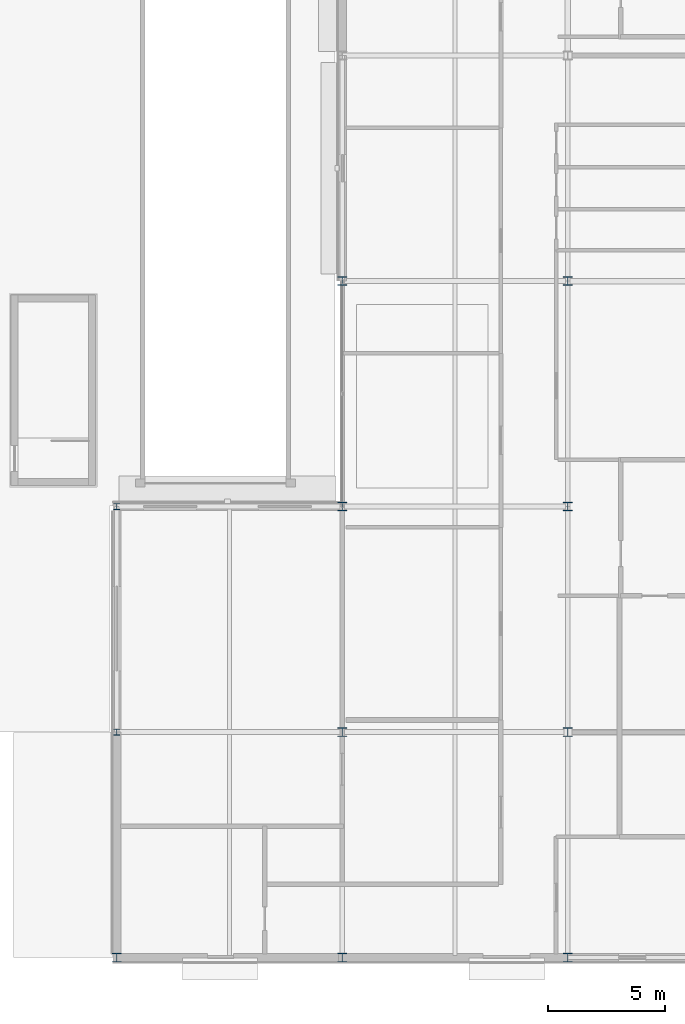
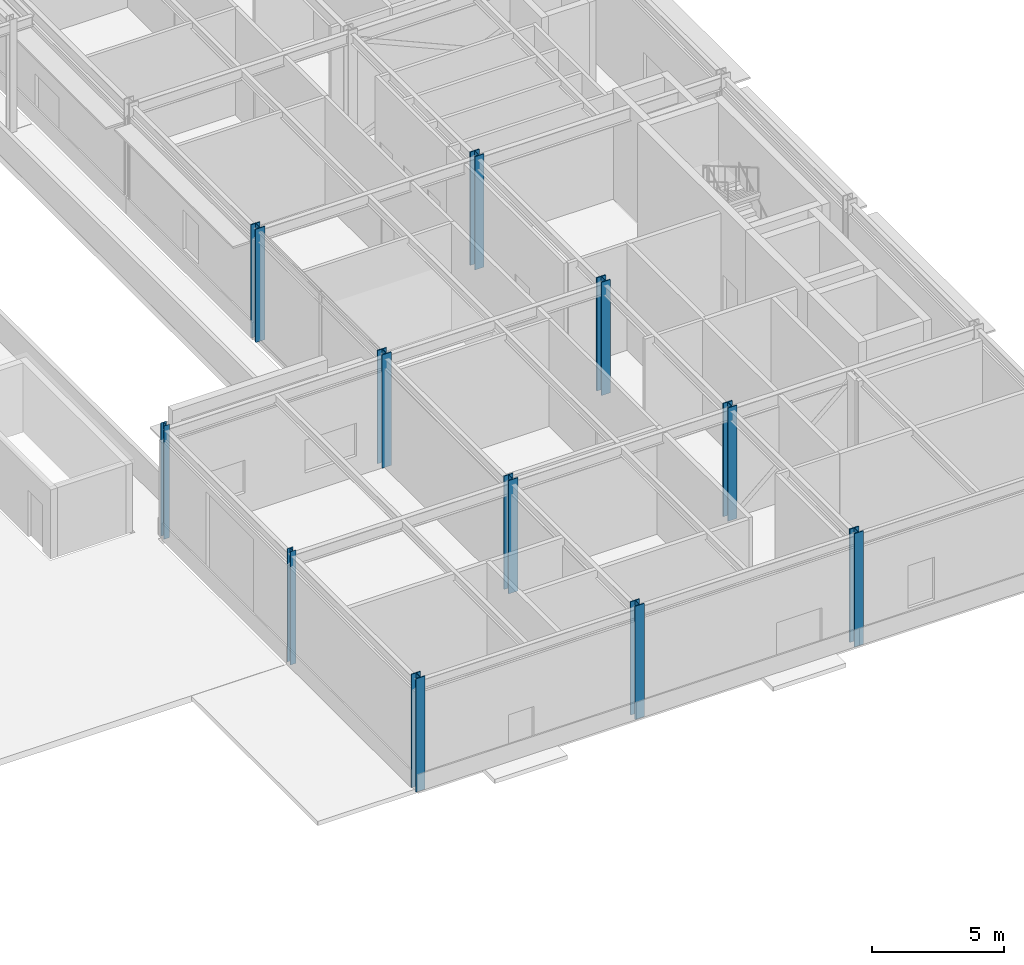
# One storey, part 15 of 168: 11 columns.
"""IFC4 building model written with IfcOpenShell, lengths in metres."""

from ifc_helpers import new_model, si_unit, direction, frame, origin, origin_2d, place, context, subcontext, project, spatial, i_section, extrude, material, material_profile, profile_set, type_object, element, save


model = new_model("IFC4")

# Units and contexts
model_context = context("Model", 3, precision=1e-05, world=origin(), true_north=direction((0.0, 1.0)))
body_context = subcontext(model_context, "Body", "Model", "MODEL_VIEW")
ifc_project = project(units=[si_unit("LENGTHUNIT", "METRE"), si_unit("AREAUNIT", "SQUARE_METRE"), si_unit("VOLUMEUNIT", "CUBIC_METRE"), si_unit("PLANEANGLEUNIT", "RADIAN"), si_unit("MASSUNIT", "GRAM", prefix="KILO")], contexts=[model_context])

# Site, building, storey
site_placement = place(None, origin())
site = spatial("IfcSite", under=ifc_project, at=site_placement, CompositionType="ELEMENT")
building_placement = place(site_placement, origin())
building = spatial("IfcBuilding", under=site, at=building_placement, Name="Almandine Court Research Institute", CompositionType="ELEMENT")
storey_placement = place(building_placement, origin())
storey = spatial("IfcBuildingStorey", under=building, at=storey_placement, Name="L00", CompositionType="ELEMENT", Elevation=0.0)

# Columns
ifc_material = material(Name="Steel ASTM A992 Grade 50", Category="steel")
ifc_material_profile_1 = material_profile(ifc_material, i_section(OverallWidth=0.39794921875, OverallDepth=0.386962890625, WebThickness=0.02392578125, FlangeThickness=0.0390625, at=origin_2d()), Name="W360x262")
ifc_profile_set_1 = profile_set([ifc_material_profile_1], Name="Steel ASTM A992 Grade 50")
column_type_1 = type_object("IfcColumnType", Name="Col-C-W01", PredefinedType="COLUMN", material=ifc_profile_set_1)
for number, where, z_axis, x_axis, name in (
    (1, (153.60009765625, 15.60009765625, 0.0), (0.0, 0.0, 1.0), (1.0, 0.0, 0.0), "L00 V4 Column V4-X2Y2"),
    (2, (153.60009765625, 25.199951171875, 0.0), (0.0, 0.0, 1.0), (1.0, 0.0, 0.0), "L00 V4 Column V4-X2Y3"),
    (3, (153.60009765625, 34.800048828125, 0.0), (0.0, 0.0, 1.0), (1.0, 0.0, 0.0), "L00 V4 Column V4-X2Y4"),
    (4, (163.199951171875, 15.60009765625, 0.0), (0.0, 0.0, 1.0), (1.0, 0.0, 0.0), "L00 V4 Column V4-X3Y2"),
    (5, (163.199951171875, 25.199951171875, 0.0), (0.0, 0.0, 1.0), (1.0, 0.0, 0.0), "L00 V4 Column V4-X3Y3"),
    (6, (163.199951171875, 34.800048828125, 0.0), (0.0, 0.0, 1.0), (1.0, 0.0, 0.0), "L00 V4 Column V4-X3Y4"),
):
    element("IfcColumn", number, at=place(storey_placement, frame(where, z_axis=z_axis, x_axis=x_axis)), inside=storey, type_object=column_type_1, Name=name, PredefinedType="COLUMN", context=body_context, shape_type="SweptSolid", body=[
        extrude(i_section(OverallWidth=0.39794921875, OverallDepth=0.386962890625, WebThickness=0.02392578125, FlangeThickness=0.0390625, at=origin_2d()), origin(), (0.0, 0.0, 1.0), 5.25),
    ])
ifc_material_profile_2 = material_profile(ifc_material, i_section(OverallWidth=0.39794921875, OverallDepth=0.386962890625, WebThickness=0.02392578125, FlangeThickness=0.0390625, at=origin_2d()), Name="W360x262")
ifc_profile_set_2 = profile_set([ifc_material_profile_2], Name="Steel ASTM A992 Grade 50")
column_type_2 = type_object("IfcColumnType", Name="Col-C-W01-E", PredefinedType="COLUMN", material=ifc_profile_set_2)
for number, where, z_axis, x_axis, name in (
    (7, (144.0, 6.0, 0.0), (0.0, 0.0, 1.0), (1.0, 0.0, 0.0), "L00 V4 Column V4-X1Y1"),
    (8, (153.60009765625, 6.0, 0.0), (0.0, 0.0, 1.0), (1.0, 0.0, 0.0), "L00 V4 Column V4-X2Y1"),
    (9, (163.199951171875, 6.0, 0.0), (0.0, 0.0, 1.0), (1.0, 0.0, 0.0), "L00 V4 Column V4-X3Y1"),
):
    element("IfcColumn", number, at=place(storey_placement, frame(where, z_axis=z_axis, x_axis=x_axis)), inside=storey, type_object=column_type_2, Name=name, PredefinedType="COLUMN", context=body_context, shape_type="SweptSolid", body=[
        extrude(i_section(OverallWidth=0.39794921875, OverallDepth=0.386962890625, WebThickness=0.02392578125, FlangeThickness=0.0390625, at=origin_2d()), origin(), (0.0, 0.0, 1.0), 5.25),
    ])
ifc_material_profile_3 = material_profile(ifc_material, i_section(OverallWidth=0.25390625, OverallDepth=0.2529296875, WebThickness=0.009033203125, FlangeThickness=0.013916015625, at=origin_2d()), Name="W250x73")
ifc_profile_set_3 = profile_set([ifc_material_profile_3], Name="Steel ASTM A992 Grade 50")
column_type_3 = type_object("IfcColumnType", Name="Col-C-W10-E", PredefinedType="COLUMN", material=ifc_profile_set_3)
for number, where, z_axis, x_axis, name in (
    (10, (144.0, 15.60009765625, 0.0), (0.0, 0.0, 1.0), (1.0, 0.0, 0.0), "L00 B1G Column B1G-X3Y1"),
    (11, (144.0, 25.199951171875, 0.0), (0.0, 0.0, 1.0), (1.0, 0.0, 0.0), "L00 B1G Column B1G-X3Y2"),
):
    element("IfcColumn", number, at=place(storey_placement, frame(where, z_axis=z_axis, x_axis=x_axis)), inside=storey, type_object=column_type_3, Name=name, PredefinedType="COLUMN", context=body_context, shape_type="SweptSolid", body=[
        extrude(i_section(OverallWidth=0.25390625, OverallDepth=0.2529296875, WebThickness=0.009033203125, FlangeThickness=0.013916015625, at=origin_2d()), origin(), (0.0, 0.0, 1.0), 5.25),
    ])

save(model, "model.ifc")
